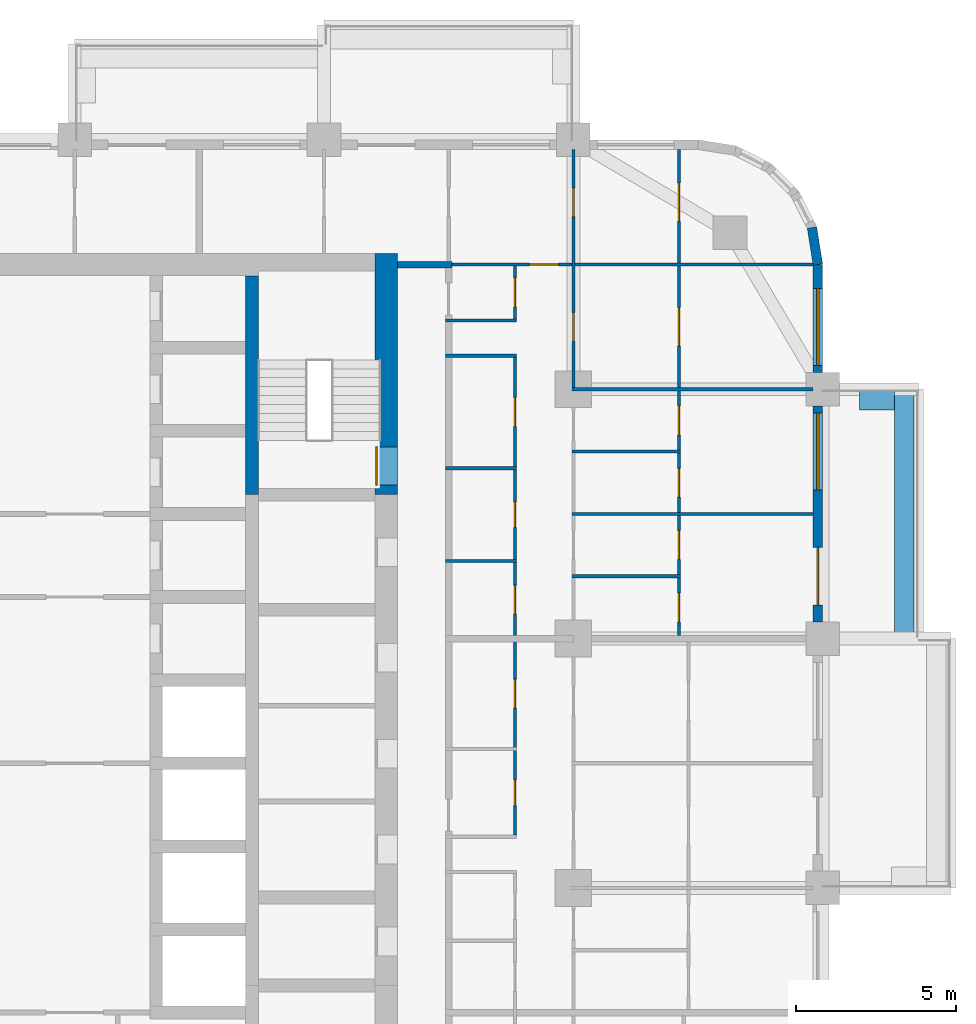
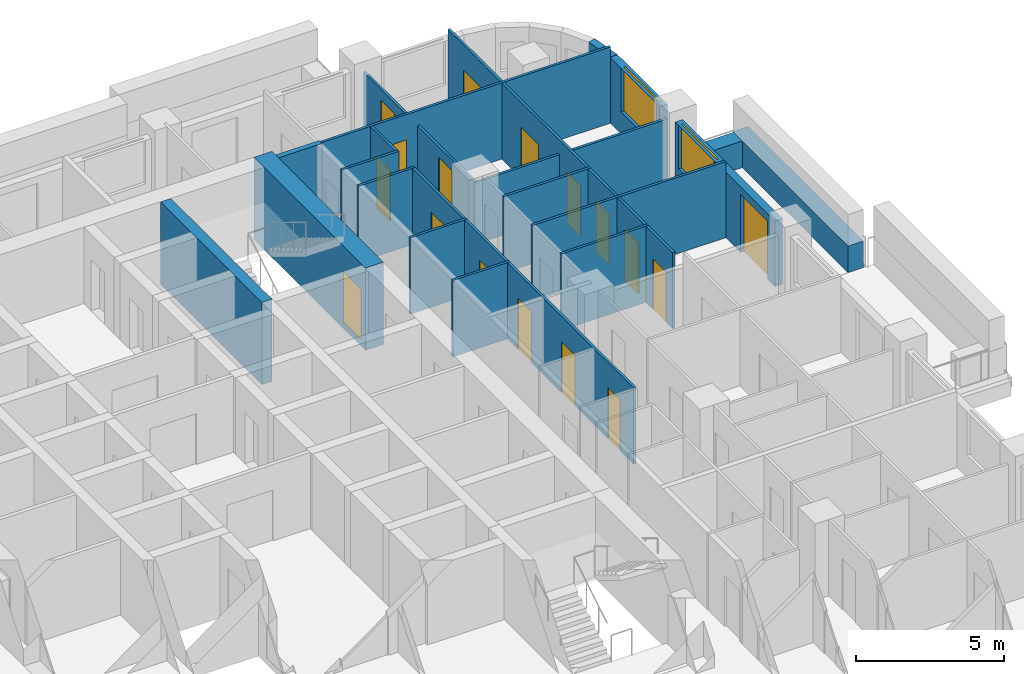
# One storey, part 13 of 18: 21 walls, 17 doors, 2 windows, 19 openings.
"""IFC4 building model written with IfcOpenShell, lengths in metres."""

from ifc_helpers import new_model, si_unit, direction, frame, frame_2d, origin, place, context, subcontext, project, spatial, rectangle, extrude, material, layer, layer_set, type_object, element, fill, save


model = new_model("IFC4")

# Units and contexts
model_context = context("Model", 3, precision=1e-05, world=origin(), true_north=direction((0.0, 1.0)))
body_context = subcontext(model_context, "Body", "Model", "MODEL_VIEW")
ifc_project = project(units=[si_unit("LENGTHUNIT", "METRE"), si_unit("AREAUNIT", "SQUARE_METRE"), si_unit("VOLUMEUNIT", "CUBIC_METRE"), si_unit("PLANEANGLEUNIT", "RADIAN"), si_unit("MASSUNIT", "GRAM", prefix="KILO")], contexts=[model_context])

# Site, building, storey
site_placement = place(None, origin())
site = spatial("IfcSite", under=ifc_project, at=site_placement, CompositionType="ELEMENT")
building_placement = place(site_placement, origin())
building = spatial("IfcBuilding", under=site, at=building_placement, Name="Ludao Terraces", CompositionType="ELEMENT")
storey_placement = place(building_placement, frame((0.0, 0.0, 29.699951171875)))
storey = spatial("IfcBuildingStorey", under=building, at=storey_placement, Name="L07", CompositionType="ELEMENT", Elevation=29.699951171875)

# Wall, opening, door
ifc_material_1 = material(Name="Concrete C70", Category="concrete")
ifc_layer_1 = layer(ifc_material_1, 0.699951171875)
ifc_layer_set_1 = layer_set([ifc_layer_1], Name="Core wall 700 C70")
wall_type_1 = type_object("IfcWallType", Name="Core wall 700 C70", PredefinedType="SOLIDWALL", material=ifc_layer_set_1)
wall_1_placement = place(storey_placement, frame((94.75, 77.300048828125, -0.25), z_axis=(0.0, 0.0, 1.0), x_axis=(0.0, 1.0, 0.0)))
wall_1 = element("IfcWall", 1, at=wall_1_placement, inside=storey, type_object=wall_type_1, Name="Core wall L07 outer-E-S2", PredefinedType="SOLIDWALL", context=body_context, shape_type="SweptSolid", body=[
    extrude(rectangle(XDim=7.550048828125, YDim=0.699951171875, at=frame_2d((3.77490234375, 0.0))), origin(), (0.0, 0.0, 1.0), 3.400146484375),
])
opening_1_placement = place(wall_1_placement, frame((0.300048828125, 0.0, 0.25)))
opening_1 = element("IfcOpeningElement", 2, at=opening_1_placement, cuts=wall_1, Name="Opening R02-134", PredefinedType="OPENING", context=body_context, shape_type="SweptSolid", body=[
    extrude(rectangle(XDim=1.199951171875, YDim=2.10009765625, at=frame_2d((0.60009765625, 1.050048828125))), frame((0.0, 0.35986328125, 0.0), z_axis=(0.0, -1.0, 0.0), x_axis=(1.0, 0.0, 0.0)), (0.0, 0.0, 1.0), 0.719970703125),
])
ifc_material_2 = material(Name="Steel Q235", Category="steel")
door_type_1 = type_object("IfcDoorType", Name="INT Stair door 1200", OperationType="DOUBLE_DOOR_SINGLE_SWING", PredefinedType="DOOR", material=ifc_material_2)
door_1_placement = place(opening_1_placement, origin())
door_1 = element("IfcDoor", 3, at=door_1_placement, inside=storey, type_object=door_type_1, Name="DOOR 134", OperationType="DOUBLE_DOOR_SINGLE_SWING", OverallHeight=2.10009765625, OverallWidth=1.199951171875, PredefinedType="DOOR", context=body_context, shape_type="SweptSolid", body=[
    extrude(rectangle(XDim=1.199951171875, YDim=2.10009765625, at=frame_2d((0.60009765625, 1.050048828125))), frame((0.0, 0.3349609375, 0.0), z_axis=(0.0, -1.0, 0.0), x_axis=(1.0, 0.0, 0.0)), (0.0, 0.0, 1.0), 0.050048828125),
])
fill(opening_1, door_1)

# Walls
ifc_material_3 = material(Name="Concrete C40", Category="concrete")
ifc_layer_2 = layer(ifc_material_3, 0.60009765625)
ifc_layer_set_2 = layer_set([ifc_layer_2], Name="ENV Planter trough 600")
wall_type_2 = type_object("IfcWallType", Name="ENV Planter trough 600", PredefinedType="USERDEFINED", material=ifc_layer_set_2)
wall_2_placement = place(storey_placement, frame((110.949951171875, 72.800048828125, 0.0), z_axis=(0.0, 0.0, 1.0), x_axis=(0.0, 1.0, 0.0)))
element("IfcWall", 4, at=wall_2_placement, inside=storey, type_object=wall_type_2, Name="PL-L07-E4", ObjectType="PLANTER", PredefinedType="USERDEFINED", context=body_context, shape_type="SweptSolid", body=[
    extrude(rectangle(XDim=7.800048828125, YDim=0.60009765625, at=frame_2d((3.89990234375, 0.0))), origin(), (0.0, 0.0, 1.0), 1.10009765625),
])
wall_3_placement = place(storey_placement, frame((110.64990234375, 80.25, 0.0), z_axis=(0.0, 0.0, 1.0), x_axis=(-1.0, 0.0, 0.0)))
element("IfcWall", 5, at=wall_3_placement, inside=storey, type_object=wall_type_2, Name="PL-L07-E4-SB", ObjectType="PLANTER", PredefinedType="USERDEFINED", context=body_context, shape_type="SweptSolid", body=[
    extrude(rectangle(XDim=1.099853515625, YDim=0.60009765625, at=frame_2d((0.5498046875, 0.0))), origin(), (0.0, 0.0, 1.0), 1.10009765625),
])

# Wall, openings, door, window
ifc_material_4 = material(Name="Granite cladding", Category="masonry")
ifc_layer_3 = layer(ifc_material_4, 0.0400390625, Category="stone")
ifc_material_5 = material(Name="Mineral wool")
ifc_layer_4 = layer(ifc_material_5, 0.06005859375)
ifc_layer_5 = layer(ifc_material_3, 0.199951171875, Category="concrete")
ifc_layer_set_3 = layer_set([ifc_layer_3, ifc_layer_4, ifc_layer_5], Name="ENV Stone-clad wall 300")
wall_type_3 = type_object("IfcWallType", Name="ENV Stone-clad wall 300", PredefinedType="SOLIDWALL", material=ifc_layer_set_3)
wall_4_placement = place(storey_placement, frame((108.25, 73.324951171875, 0.0), z_axis=(0.0, 0.0, 1.0), x_axis=(0.0, 1.0, 0.0)))
wall_4 = element("IfcWall", 6, at=wall_4_placement, inside=storey, type_object=wall_type_3, Name="EW-L07-E5", PredefinedType="SOLIDWALL", context=body_context, shape_type="SweptSolid", body=[
    extrude(rectangle(XDim=6.75, YDim=0.300048828125, at=frame_2d((3.375, 0.0))), origin(), (0.0, 0.0, 1.0), 2.699951171875),
])
opening_2_placement = place(wall_4_placement, frame((0.52490234375, 0.0, 0.0)))
opening_2 = element("IfcOpeningElement", 7, at=opening_2_placement, cuts=wall_4, Name="Opening BD", PredefinedType="OPENING", context=body_context, shape_type="SweptSolid", body=[
    extrude(rectangle(XDim=1.800048828125, YDim=2.39990234375, at=frame_2d((0.89990234375, 1.199951171875))), frame((0.0, 0.16015625, 0.0), z_axis=(0.0, -1.0, 0.0), x_axis=(1.0, 0.0, 0.0)), (0.0, 0.0, 1.0), 0.320068359375),
])
opening_3_placement = place(wall_4_placement, frame((4.125, 0.0, 0.89990234375)))
opening_3 = element("IfcOpeningElement", 8, at=opening_3_placement, cuts=wall_4, Name="Opening W1", PredefinedType="OPENING", context=body_context, shape_type="SweptSolid", body=[
    extrude(rectangle(XDim=2.39990234375, YDim=1.800048828125, at=frame_2d((1.199951171875, 0.89990234375))), frame((0.0, 0.16015625, 0.0), z_axis=(0.0, -1.0, 0.0), x_axis=(1.0, 0.0, 0.0)), (0.0, 0.0, 1.0), 0.320068359375),
])
ifc_material_6 = material(Name="Aluminium glazed door", Category="aluminium")
ifc_layer_6 = layer(ifc_material_6, 0.06005859375)
ifc_layer_set_4 = layer_set([ifc_layer_6], Name="ENV Balcony door BD 1800x2400")
door_type_2 = type_object("IfcDoorType", Name="ENV Balcony door BD 1800x2400", OperationType="DOUBLE_DOOR_SINGLE_SWING", PredefinedType="DOOR", material=ifc_layer_set_4)
door_2_placement = place(opening_2_placement, origin())
door_2 = element("IfcDoor", 9, at=door_2_placement, inside=storey, type_object=door_type_2, Name="BD-L07-E5-1", OperationType="DOUBLE_DOOR_SINGLE_SWING", OverallHeight=2.39990234375, OverallWidth=1.800048828125, PredefinedType="DOOR", context=body_context, shape_type="SweptSolid", body=[
    extrude(rectangle(XDim=1.800048828125, YDim=2.39990234375, at=frame_2d((0.89990234375, 1.199951171875))), frame((0.0, 0.02490234375, 0.0), z_axis=(0.0, -1.0, 0.0), x_axis=(1.0, 0.0, 0.0)), (0.0, 0.0, 1.0), 0.050048828125),
])
fill(opening_2, door_2)
ifc_material_7 = material(Name="Clear glass in aluminium frame", Category="aluminium")
ifc_layer_7 = layer(ifc_material_7, 0.06005859375)
ifc_layer_set_5 = layer_set([ifc_layer_7], Name="ENV Window W1 2400x1800")
window_type = type_object("IfcWindowType", Name="ENV Window W1 2400x1800", PartitioningType="DOUBLE_PANEL_VERTICAL", PredefinedType="WINDOW", material=ifc_layer_set_5)
window_1_placement = place(opening_3_placement, origin())
window_1 = element("IfcWindow", 10, at=window_1_placement, inside=storey, type_object=window_type, Name="W-L07-E5-2", OverallHeight=1.800048828125, OverallWidth=2.39990234375, PartitioningType="DOUBLE_PANEL_VERTICAL", PredefinedType="WINDOW", context=body_context, shape_type="SweptSolid", body=[
    extrude(rectangle(XDim=2.39990234375, YDim=1.800048828125, at=frame_2d((1.199951171875, 0.89990234375))), frame((0.0, 0.030029296875, 0.0), z_axis=(0.0, -1.0, 0.0), x_axis=(1.0, 0.0, 0.0)), (0.0, 0.0, 1.0), 0.06005859375),
])
fill(opening_3, window_1)

# Wall, opening, window
wall_5_placement = place(storey_placement, frame((108.25, 81.125, 0.0), z_axis=(0.0, 0.0, 1.0), x_axis=(0.0, 1.0, 0.0)))
wall_5 = element("IfcWall", 11, at=wall_5_placement, inside=storey, type_object=wall_type_3, Name="EW-L07-E6", PredefinedType="SOLIDWALL", context=body_context, shape_type="SweptSolid", body=[
    extrude(rectangle(XDim=3.375, YDim=0.300048828125, at=frame_2d((1.6875, 0.0))), origin(), (0.0, 0.0, 1.0), 2.699951171875),
])
opening_4_placement = place(wall_5_placement, frame((0.22509765625, 0.0, 0.89990234375)))
opening_4 = element("IfcOpeningElement", 12, at=opening_4_placement, cuts=wall_5, Name="Opening W1", PredefinedType="OPENING", context=body_context, shape_type="SweptSolid", body=[
    extrude(rectangle(XDim=2.39990234375, YDim=1.800048828125, at=frame_2d((1.199951171875, 0.89990234375))), frame((0.0, 0.16015625, 0.0), z_axis=(0.0, -1.0, 0.0), x_axis=(1.0, 0.0, 0.0)), (0.0, 0.0, 1.0), 0.320068359375),
])
window_2_placement = place(opening_4_placement, origin())
window_2 = element("IfcWindow", 13, at=window_2_placement, inside=storey, type_object=window_type, Name="W-L07-E6-1", OverallHeight=1.800048828125, OverallWidth=2.39990234375, PartitioningType="DOUBLE_PANEL_VERTICAL", PredefinedType="WINDOW", context=body_context, shape_type="SweptSolid", body=[
    extrude(rectangle(XDim=2.39990234375, YDim=1.800048828125, at=frame_2d((1.199951171875, 0.89990234375))), frame((0.0, 0.030029296875, 0.0), z_axis=(0.0, -1.0, 0.0), x_axis=(1.0, 0.0, 0.0)), (0.0, 0.0, 1.0), 0.06005859375),
])
fill(opening_4, window_2)

# Walls
wall_6_placement = place(storey_placement, frame((108.25, 84.5, 0.0), z_axis=(0.0, 0.0, 1.0), x_axis=(-0.156496880861, 0.987678452879, 0.0)))
element("IfcWall", 14, at=wall_6_placement, inside=storey, type_object=wall_type_3, Name="EW-L07-NE1", PredefinedType="SOLIDWALL", context=body_context, shape_type="SweptSolid", body=[
    extrude(rectangle(XDim=1.173095703125, YDim=0.300048828125, at=frame_2d((0.58642578125, 0.0))), origin(), (0.0, 0.0, 1.0), 2.699951171875),
])
ifc_material_8 = material(Name="Autoclaved aerated concrete block B06 A3.5", Category="concrete")
ifc_layer_8 = layer(ifc_material_8, 0.199951171875)
ifc_layer_set_6 = layer_set([ifc_layer_8], Name="INT Entrance wall 200")
wall_type_4 = type_object("IfcWallType", Name="INT Entrance wall 200", PredefinedType="PARTITIONING", material=ifc_layer_set_6)
wall_7_placement = place(storey_placement, frame((95.10009765625, 84.5, 0.0), z_axis=(0.0, 0.0, 1.0), x_axis=(1.0, 0.0, 0.0)))
element("IfcWall", 15, at=wall_7_placement, inside=storey, type_object=wall_type_4, Name="PW-L07-PW079", PredefinedType="PARTITIONING", context=body_context, shape_type="SweptSolid", body=[
    extrude(rectangle(XDim=1.699951171875, YDim=0.199951171875, at=frame_2d((0.85009765625, 0.0))), origin(), (0.0, 0.0, 1.0), 3.150146484375),
])
ifc_material_9 = material(Name="Gypsum plasterboard", Category="gypsum")
ifc_layer_9 = layer(ifc_material_9, 0.012451171875, Category="gypsum")
ifc_layer_10 = layer(ifc_material_5, 0.06005859375, Name="insulation")
ifc_layer_11 = layer(ifc_material_2, 0.014892578125, Name="stud")
ifc_layer_12 = layer(ifc_material_9, 0.012451171875, Category="gypsum")
ifc_layer_set_7 = layer_set([ifc_layer_9, ifc_layer_10, ifc_layer_11, ifc_layer_12], Name="INT Partition 100")
wall_type_5 = type_object("IfcWallType", Name="INT Partition 100", PredefinedType="PARTITIONING", material=ifc_layer_set_7)
wall_8_placement = place(storey_placement, frame((100.550048828125, 74.75, 0.0), z_axis=(0.0, 0.0, 1.0), x_axis=(1.0, 0.0, 0.0)))
element("IfcWall", 16, at=wall_8_placement, inside=storey, type_object=wall_type_5, Name="PW-L07-PW060", PredefinedType="PARTITIONING", context=body_context, shape_type="SweptSolid", body=[
    extrude(rectangle(XDim=3.400146484375, YDim=0.10009765625, at=frame_2d((1.7001953125, 0.0))), origin(), (0.0, 0.0, 1.0), 3.150146484375),
])
wall_9_placement = place(storey_placement, frame((96.60009765625, 75.22998046875, 0.0), z_axis=(0.0, 0.0, 1.0), x_axis=(1.0, 0.0, 0.0)))
element("IfcWall", 17, at=wall_9_placement, inside=storey, type_object=wall_type_5, Name="PW-L07-PW061", PredefinedType="PARTITIONING", context=body_context, shape_type="SweptSolid", body=[
    extrude(rectangle(XDim=2.219970703125, YDim=0.10009765625, at=frame_2d((1.10986328125, 0.0))), origin(), (0.0, 0.0, 1.0), 3.150146484375),
])
wall_10_placement = place(storey_placement, frame((100.550048828125, 76.699951171875, 0.0), z_axis=(0.0, 0.0, 1.0), x_axis=(1.0, 0.0, 0.0)))
element("IfcWall", 18, at=wall_10_placement, inside=storey, type_object=wall_type_5, Name="PW-L07-PW064", PredefinedType="PARTITIONING", context=body_context, shape_type="SweptSolid", body=[
    extrude(rectangle(XDim=7.550048828125, YDim=0.10009765625, at=frame_2d((3.77490234375, 0.0))), origin(), (0.0, 0.0, 1.0), 3.150146484375),
])
wall_11_placement = place(storey_placement, frame((96.60009765625, 78.1298828125, 0.0), z_axis=(0.0, 0.0, 1.0), x_axis=(1.0, 0.0, 0.0)))
element("IfcWall", 19, at=wall_11_placement, inside=storey, type_object=wall_type_5, Name="PW-L07-PW065", PredefinedType="PARTITIONING", context=body_context, shape_type="SweptSolid", body=[
    extrude(rectangle(XDim=2.219970703125, YDim=0.10009765625, at=frame_2d((1.10986328125, 0.0))), origin(), (0.0, 0.0, 1.0), 3.150146484375),
])
wall_12_placement = place(storey_placement, frame((100.550048828125, 78.64990234375, 0.0), z_axis=(0.0, 0.0, 1.0), x_axis=(1.0, 0.0, 0.0)))
element("IfcWall", 20, at=wall_12_placement, inside=storey, type_object=wall_type_5, Name="PW-L07-PW068", PredefinedType="PARTITIONING", context=body_context, shape_type="SweptSolid", body=[
    extrude(rectangle(XDim=3.400146484375, YDim=0.10009765625, at=frame_2d((1.7001953125, 0.0))), origin(), (0.0, 0.0, 1.0), 3.150146484375),
])
wall_13_placement = place(storey_placement, frame((100.550048828125, 80.60009765625, 0.0), z_axis=(0.0, 0.0, 1.0), x_axis=(1.0, 0.0, 0.0)))
element("IfcWall", 21, at=wall_13_placement, inside=storey, type_object=wall_type_5, Name="PW-L07-PW071", PredefinedType="PARTITIONING", context=body_context, shape_type="SweptSolid", body=[
    extrude(rectangle(XDim=7.550048828125, YDim=0.10009765625, at=frame_2d((3.77490234375, 0.0))), origin(), (0.0, 0.0, 1.0), 2.550048828125),
])
for number, where, z_axis, x_axis, name in (
    (22, (96.60009765625, 81.64990234375, 0.0), (0.0, 0.0, 1.0), (1.0, 0.0, 0.0), "PW-L07-PW073"),
    (23, (96.60009765625, 82.75, 0.0), (0.0, 0.0, 1.0), (1.0, 0.0, 0.0), "PW-L07-PW076"),
):
    element("IfcWall", number, at=place(storey_placement, frame(where, z_axis=z_axis, x_axis=x_axis)), inside=storey, type_object=wall_type_5, Name=name, PredefinedType="PARTITIONING", context=body_context, shape_type="SweptSolid", body=[
        extrude(rectangle(XDim=2.219970703125, YDim=0.10009765625, at=frame_2d((1.10986328125, 0.0))), origin(), (0.0, 0.0, 1.0), 3.150146484375),
    ])

# Wall, opening, door
wall_14_placement = place(storey_placement, frame((96.60009765625, 84.5, 0.0), z_axis=(0.0, 0.0, 1.0), x_axis=(1.0, 0.0, 0.0)))
wall_14 = element("IfcWall", 24, at=wall_14_placement, inside=storey, type_object=wall_type_5, Name="PW-L07-PW080", PredefinedType="PARTITIONING", context=body_context, shape_type="SweptSolid", body=[
    extrude(rectangle(XDim=11.5, YDim=0.10009765625, at=frame_2d((5.75, 0.0))), origin(), (0.0, 0.0, 1.0), 3.150146484375),
])
opening_5_placement = place(wall_14_placement, frame((2.635009765625, 0.0, 0.0)))
opening_5 = element("IfcOpeningElement", 25, at=opening_5_placement, cuts=wall_14, Name="Opening R02-156", PredefinedType="OPENING", context=body_context, shape_type="SweptSolid", body=[
    extrude(rectangle(XDim=0.89990234375, YDim=2.10009765625, at=frame_2d((0.449951171875, 1.050048828125))), frame((0.0, 0.06005859375, 0.0), z_axis=(0.0, -1.0, 0.0), x_axis=(1.0, 0.0, 0.0)), (0.0, 0.0, 1.0), 0.1201171875),
])
ifc_material_10 = material(Name="Timber door leaf", Category="wood")
door_type_3 = type_object("IfcDoorType", Name="INT Room door 900", OperationType="SINGLE_SWING_LEFT", PredefinedType="DOOR", material=ifc_material_10)
door_3_placement = place(opening_5_placement, origin())
door_3 = element("IfcDoor", 26, at=door_3_placement, inside=storey, type_object=door_type_3, Name="DOOR 156", OperationType="SINGLE_SWING_LEFT", OverallHeight=2.10009765625, OverallWidth=0.89990234375, PredefinedType="DOOR", context=body_context, shape_type="SweptSolid", body=[
    extrude(rectangle(XDim=0.89990234375, YDim=2.10009765625, at=frame_2d((0.449951171875, 1.050048828125))), frame((0.0, 0.02490234375, 0.0), z_axis=(0.0, -1.0, 0.0), x_axis=(1.0, 0.0, 0.0)), (0.0, 0.0, 1.0), 0.050048828125),
])
fill(opening_5, door_3)

# Wall, openings, doors
wall_15_placement = place(storey_placement, frame((98.77001953125, 66.650146484375, 0.0), z_axis=(0.0, 0.0, 1.0), x_axis=(0.0, 1.0, 0.0)))
wall_15 = element("IfcWall", 27, at=wall_15_placement, inside=storey, type_object=wall_type_5, Name="PW-L07-PW120", PredefinedType="PARTITIONING", context=body_context, shape_type="SweptSolid", body=[
    extrude(rectangle(XDim=14.949951171875, YDim=0.10009765625, at=frame_2d((7.47509765625, 0.0))), origin(), (0.0, 0.0, 1.0), 3.150146484375),
])
opening_6_placement = place(wall_15_placement, frame((0.925048828125, 0.0, 0.0)))
opening_6 = element("IfcOpeningElement", 28, at=opening_6_placement, cuts=wall_15, Name="Opening R02-095", PredefinedType="OPENING", context=body_context, shape_type="SweptSolid", body=[
    extrude(rectangle(XDim=0.800048828125, YDim=2.10009765625, at=frame_2d((0.39990234375, 1.050048828125))), frame((0.0, 0.06005859375, 0.0), z_axis=(0.0, -1.0, 0.0), x_axis=(1.0, 0.0, 0.0)), (0.0, 0.0, 1.0), 0.1201171875),
])
opening_7_placement = place(wall_15_placement, frame((3.97509765625, 0.0, 0.0)))
opening_7 = element("IfcOpeningElement", 29, at=opening_7_placement, cuts=wall_15, Name="Opening R02-104", PredefinedType="OPENING", context=body_context, shape_type="SweptSolid", body=[
    extrude(rectangle(XDim=0.89990234375, YDim=2.10009765625, at=frame_2d((0.449951171875, 1.050048828125))), frame((0.0, 0.06005859375, 0.0), z_axis=(0.0, -1.0, 0.0), x_axis=(1.0, 0.0, 0.0)), (0.0, 0.0, 1.0), 0.1201171875),
])
opening_8_placement = place(wall_15_placement, frame((6.9150390625, 0.0, 0.0)))
opening_8 = element("IfcOpeningElement", 30, at=opening_8_placement, cuts=wall_15, Name="Opening R02-115", PredefinedType="OPENING", context=body_context, shape_type="SweptSolid", body=[
    extrude(rectangle(XDim=0.89990234375, YDim=2.10009765625, at=frame_2d((0.449951171875, 1.050048828125))), frame((0.0, 0.06005859375, 0.0), z_axis=(0.0, -1.0, 0.0), x_axis=(1.0, 0.0, 0.0)), (0.0, 0.0, 1.0), 0.1201171875),
])
opening_9_placement = place(wall_15_placement, frame((9.6298828125, 0.0, 0.0)))
opening_9 = element("IfcOpeningElement", 31, at=opening_9_placement, cuts=wall_15, Name="Opening R02-126", PredefinedType="OPENING", context=body_context, shape_type="SweptSolid", body=[
    extrude(rectangle(XDim=0.800048828125, YDim=2.10009765625, at=frame_2d((0.39990234375, 1.050048828125))), frame((0.0, 0.06005859375, 0.0), z_axis=(0.0, -1.0, 0.0), x_axis=(1.0, 0.0, 0.0)), (0.0, 0.0, 1.0), 0.1201171875),
])
opening_10_placement = place(wall_15_placement, frame((12.7900390625, 0.0, 0.0)))
opening_10 = element("IfcOpeningElement", 32, at=opening_10_placement, cuts=wall_15, Name="Opening R02-139", PredefinedType="OPENING", context=body_context, shape_type="SweptSolid", body=[
    extrude(rectangle(XDim=0.89990234375, YDim=2.10009765625, at=frame_2d((0.449951171875, 1.050048828125))), frame((0.0, 0.06005859375, 0.0), z_axis=(0.0, -1.0, 0.0), x_axis=(1.0, 0.0, 0.0)), (0.0, 0.0, 1.0), 0.1201171875),
])
door_type_4 = type_object("IfcDoorType", Name="INT Bathroom door 900", OperationType="SINGLE_SWING_LEFT", PredefinedType="DOOR", material=ifc_material_10)
door_4_placement = place(opening_8_placement, origin())
door_4 = element("IfcDoor", 33, at=door_4_placement, inside=storey, type_object=door_type_4, Name="DOOR 115", OperationType="SINGLE_SWING_LEFT", OverallHeight=2.10009765625, OverallWidth=0.89990234375, PredefinedType="DOOR", context=body_context, shape_type="SweptSolid", body=[
    extrude(rectangle(XDim=0.89990234375, YDim=2.10009765625, at=frame_2d((0.449951171875, 1.050048828125))), frame((0.0, 0.02490234375, 0.0), z_axis=(0.0, -1.0, 0.0), x_axis=(1.0, 0.0, 0.0)), (0.0, 0.0, 1.0), 0.050048828125),
])
fill(opening_8, door_4)
door_5_placement = place(opening_7_placement, origin())
door_5 = element("IfcDoor", 34, at=door_5_placement, inside=storey, type_object=door_type_3, Name="DOOR 104", OperationType="SINGLE_SWING_LEFT", OverallHeight=2.10009765625, OverallWidth=0.89990234375, PredefinedType="DOOR", context=body_context, shape_type="SweptSolid", body=[
    extrude(rectangle(XDim=0.89990234375, YDim=2.10009765625, at=frame_2d((0.449951171875, 1.050048828125))), frame((0.0, 0.02490234375, 0.0), z_axis=(0.0, -1.0, 0.0), x_axis=(1.0, 0.0, 0.0)), (0.0, 0.0, 1.0), 0.050048828125),
])
fill(opening_7, door_5)
door_6_placement = place(opening_10_placement, origin())
door_6 = element("IfcDoor", 35, at=door_6_placement, inside=storey, type_object=door_type_3, Name="DOOR 139", OperationType="SINGLE_SWING_LEFT", OverallHeight=2.10009765625, OverallWidth=0.89990234375, PredefinedType="DOOR", context=body_context, shape_type="SweptSolid", body=[
    extrude(rectangle(XDim=0.89990234375, YDim=2.10009765625, at=frame_2d((0.449951171875, 1.050048828125))), frame((0.0, 0.02490234375, 0.0), z_axis=(0.0, -1.0, 0.0), x_axis=(1.0, 0.0, 0.0)), (0.0, 0.0, 1.0), 0.050048828125),
])
fill(opening_10, door_6)
door_type_5 = type_object("IfcDoorType", Name="INT Store door 800", OperationType="SINGLE_SWING_LEFT", PredefinedType="DOOR", material=ifc_material_10)
door_7_placement = place(opening_6_placement, origin())
door_7 = element("IfcDoor", 36, at=door_7_placement, inside=storey, type_object=door_type_5, Name="DOOR 095", OperationType="SINGLE_SWING_RIGHT", OverallHeight=2.10009765625, OverallWidth=0.800048828125, PredefinedType="DOOR", context=body_context, shape_type="SweptSolid", body=[
    extrude(rectangle(XDim=0.800048828125, YDim=2.10009765625, at=frame_2d((0.39990234375, 1.050048828125))), frame((0.0, 0.02490234375, 0.0), z_axis=(0.0, -1.0, 0.0), x_axis=(1.0, 0.0, 0.0)), (0.0, 0.0, 1.0), 0.050048828125),
])
fill(opening_6, door_7)
door_8_placement = place(opening_9_placement, origin())
door_8 = element("IfcDoor", 37, at=door_8_placement, inside=storey, type_object=door_type_5, Name="DOOR 126", OperationType="SINGLE_SWING_LEFT", OverallHeight=2.10009765625, OverallWidth=0.800048828125, PredefinedType="DOOR", context=body_context, shape_type="SweptSolid", body=[
    extrude(rectangle(XDim=0.800048828125, YDim=2.10009765625, at=frame_2d((0.39990234375, 1.050048828125))), frame((0.0, 0.02490234375, 0.0), z_axis=(0.0, -1.0, 0.0), x_axis=(1.0, 0.0, 0.0)), (0.0, 0.0, 1.0), 0.050048828125),
])
fill(opening_9, door_8)

# Wall, opening, door
wall_16_placement = place(storey_placement, frame((98.77001953125, 82.800048828125, 0.0), z_axis=(0.0, 0.0, 1.0), x_axis=(0.0, 1.0, 0.0)))
wall_16 = element("IfcWall", 38, at=wall_16_placement, inside=storey, type_object=wall_type_5, Name="PW-L07-PW121", PredefinedType="PARTITIONING", context=body_context, shape_type="SweptSolid", body=[
    extrude(rectangle(XDim=1.650146484375, YDim=0.10009765625, at=frame_2d((0.8251953125, 0.0))), origin(), (0.0, 0.0, 1.0), 3.150146484375),
])
opening_11_placement = place(wall_16_placement, frame((0.375, 0.0, 0.0)))
opening_11 = element("IfcOpeningElement", 39, at=opening_11_placement, cuts=wall_16, Name="Opening R02-154", PredefinedType="OPENING", context=body_context, shape_type="SweptSolid", body=[
    extrude(rectangle(XDim=0.89990234375, YDim=2.10009765625, at=frame_2d((0.449951171875, 1.050048828125))), frame((0.0, 0.06005859375, 0.0), z_axis=(0.0, -1.0, 0.0), x_axis=(1.0, 0.0, 0.0)), (0.0, 0.0, 1.0), 0.1201171875),
])
door_9_placement = place(opening_11_placement, origin())
door_9 = element("IfcDoor", 40, at=door_9_placement, inside=storey, type_object=door_type_4, Name="DOOR 154", OperationType="SINGLE_SWING_LEFT", OverallHeight=2.10009765625, OverallWidth=0.89990234375, PredefinedType="DOOR", context=body_context, shape_type="SweptSolid", body=[
    extrude(rectangle(XDim=0.89990234375, YDim=2.10009765625, at=frame_2d((0.449951171875, 1.050048828125))), frame((0.0, 0.02490234375, 0.0), z_axis=(0.0, -1.0, 0.0), x_axis=(1.0, 0.0, 0.0)), (0.0, 0.0, 1.0), 0.050048828125),
])
fill(opening_11, door_9)

# Wall, openings, doors
wall_17_placement = place(storey_placement, frame((100.60009765625, 80.60009765625, 0.0), z_axis=(0.0, 0.0, 1.0), x_axis=(0.0, 1.0, 0.0)))
wall_17 = element("IfcWall", 41, at=wall_17_placement, inside=storey, type_object=wall_type_5, Name="PW-L07-PW122-3", PredefinedType="PARTITIONING", context=body_context, shape_type="SweptSolid", body=[
    extrude(rectangle(XDim=7.5, YDim=0.10009765625, at=frame_2d((3.75, 0.0))), origin(), (0.0, 0.0, 1.0), 2.550048828125),
])
opening_12_placement = place(wall_17_placement, frame((1.5, 0.0, 0.0)))
opening_12 = element("IfcOpeningElement", 42, at=opening_12_placement, cuts=wall_17, Name="Opening R02-146", PredefinedType="OPENING", context=body_context, shape_type="SweptSolid", body=[
    extrude(rectangle(XDim=0.89990234375, YDim=2.10009765625, at=frame_2d((0.449951171875, 1.050048828125))), frame((0.0, 0.06005859375, 0.0), z_axis=(0.0, -1.0, 0.0), x_axis=(1.0, 0.0, 0.0)), (0.0, 0.0, 1.0), 0.1201171875),
])
opening_13_placement = place(wall_17_placement, frame((5.39990234375, 0.0, 0.0)))
opening_13 = element("IfcOpeningElement", 43, at=opening_13_placement, cuts=wall_17, Name="Opening R02-165", PredefinedType="OPENING", context=body_context, shape_type="SweptSolid", body=[
    extrude(rectangle(XDim=0.89990234375, YDim=2.10009765625, at=frame_2d((0.449951171875, 1.050048828125))), frame((0.0, 0.06005859375, 0.0), z_axis=(0.0, -1.0, 0.0), x_axis=(1.0, 0.0, 0.0)), (0.0, 0.0, 1.0), 0.1201171875),
])
door_10_placement = place(opening_12_placement, origin())
door_10 = element("IfcDoor", 44, at=door_10_placement, inside=storey, type_object=door_type_3, Name="DOOR 146", OperationType="SINGLE_SWING_LEFT", OverallHeight=2.10009765625, OverallWidth=0.89990234375, PredefinedType="DOOR", context=body_context, shape_type="SweptSolid", body=[
    extrude(rectangle(XDim=0.89990234375, YDim=2.10009765625, at=frame_2d((0.449951171875, 1.050048828125))), frame((0.0, 0.02490234375, 0.0), z_axis=(0.0, -1.0, 0.0), x_axis=(1.0, 0.0, 0.0)), (0.0, 0.0, 1.0), 0.050048828125),
])
fill(opening_12, door_10)
door_11_placement = place(opening_13_placement, origin())
door_11 = element("IfcDoor", 45, at=door_11_placement, inside=storey, type_object=door_type_3, Name="DOOR 165", OperationType="SINGLE_SWING_LEFT", OverallHeight=2.10009765625, OverallWidth=0.89990234375, PredefinedType="DOOR", context=body_context, shape_type="SweptSolid", body=[
    extrude(rectangle(XDim=0.89990234375, YDim=2.10009765625, at=frame_2d((0.449951171875, 1.050048828125))), frame((0.0, 0.02490234375, 0.0), z_axis=(0.0, -1.0, 0.0), x_axis=(1.0, 0.0, 0.0)), (0.0, 0.0, 1.0), 0.050048828125),
])
fill(opening_13, door_11)

wall_18_placement = place(storey_placement, frame((103.89990234375, 72.900146484375, 0.0), z_axis=(0.0, 0.0, 1.0), x_axis=(0.0, 1.0, 0.0)))
wall_18 = element("IfcWall", 46, at=wall_18_placement, inside=storey, type_object=wall_type_5, Name="PW-L07-PW123", PredefinedType="PARTITIONING", context=body_context, shape_type="SweptSolid", body=[
    extrude(rectangle(XDim=15.199951171875, YDim=0.10009765625, at=frame_2d((7.60009765625, 0.0))), origin(), (0.0, 0.0, 1.0), 3.150146484375),
])
opening_14_placement = place(wall_18_placement, frame((0.425048828125, 0.0, 0.0)))
opening_14 = element("IfcOpeningElement", 47, at=opening_14_placement, cuts=wall_18, Name="Opening R02-114", PredefinedType="OPENING", context=body_context, shape_type="SweptSolid", body=[
    extrude(rectangle(XDim=0.89990234375, YDim=2.10009765625, at=frame_2d((0.449951171875, 1.050048828125))), frame((0.0, 0.06005859375, 0.0), z_axis=(0.0, -1.0, 0.0), x_axis=(1.0, 0.0, 0.0)), (0.0, 0.0, 1.0), 0.1201171875),
])
opening_15_placement = place(wall_18_placement, frame((2.375, 0.0, 0.0)))
opening_15 = element("IfcOpeningElement", 48, at=opening_15_placement, cuts=wall_18, Name="Opening R02-125", PredefinedType="OPENING", context=body_context, shape_type="SweptSolid", body=[
    extrude(rectangle(XDim=0.89990234375, YDim=2.10009765625, at=frame_2d((0.449951171875, 1.050048828125))), frame((0.0, 0.06005859375, 0.0), z_axis=(0.0, -1.0, 0.0), x_axis=(1.0, 0.0, 0.0)), (0.0, 0.0, 1.0), 0.1201171875),
])
opening_16_placement = place(wall_18_placement, frame((4.324951171875, 0.0, 0.0)))
opening_16 = element("IfcOpeningElement", 49, at=opening_16_placement, cuts=wall_18, Name="Opening R02-130", PredefinedType="OPENING", context=body_context, shape_type="SweptSolid", body=[
    extrude(rectangle(XDim=0.89990234375, YDim=2.10009765625, at=frame_2d((0.449951171875, 1.050048828125))), frame((0.0, 0.06005859375, 0.0), z_axis=(0.0, -1.0, 0.0), x_axis=(1.0, 0.0, 0.0)), (0.0, 0.0, 1.0), 0.1201171875),
])
opening_17_placement = place(wall_18_placement, frame((6.27490234375, 0.0, 0.0)))
opening_17 = element("IfcOpeningElement", 50, at=opening_17_placement, cuts=wall_18, Name="Opening R02-138", PredefinedType="OPENING", context=body_context, shape_type="SweptSolid", body=[
    extrude(rectangle(XDim=0.89990234375, YDim=2.10009765625, at=frame_2d((0.449951171875, 1.050048828125))), frame((0.0, 0.06005859375, 0.0), z_axis=(0.0, -1.0, 0.0), x_axis=(1.0, 0.0, 0.0)), (0.0, 0.0, 1.0), 0.1201171875),
])
opening_18_placement = place(wall_18_placement, frame((9.050048828125, 0.0, 0.0)))
opening_18 = element("IfcOpeningElement", 51, at=opening_18_placement, cuts=wall_18, Name="Opening R02-147", PredefinedType="OPENING", context=body_context, shape_type="SweptSolid", body=[
    extrude(rectangle(XDim=1.199951171875, YDim=2.10009765625, at=frame_2d((0.60009765625, 1.050048828125))), frame((0.0, 0.06005859375, 0.0), z_axis=(0.0, -1.0, 0.0), x_axis=(1.0, 0.0, 0.0)), (0.0, 0.0, 1.0), 0.1201171875),
])
opening_19_placement = place(wall_18_placement, frame((12.949951171875, 0.0, 0.0)))
opening_19 = element("IfcOpeningElement", 52, at=opening_19_placement, cuts=wall_18, Name="Opening R02-166", PredefinedType="OPENING", context=body_context, shape_type="SweptSolid", body=[
    extrude(rectangle(XDim=1.199951171875, YDim=2.10009765625, at=frame_2d((0.60009765625, 1.050048828125))), frame((0.0, 0.06005859375, 0.0), z_axis=(0.0, -1.0, 0.0), x_axis=(1.0, 0.0, 0.0)), (0.0, 0.0, 1.0), 0.1201171875),
])
door_12_placement = place(opening_14_placement, origin())
door_12 = element("IfcDoor", 53, at=door_12_placement, inside=storey, type_object=door_type_4, Name="DOOR 114", OperationType="SINGLE_SWING_LEFT", OverallHeight=2.10009765625, OverallWidth=0.89990234375, PredefinedType="DOOR", context=body_context, shape_type="SweptSolid", body=[
    extrude(rectangle(XDim=0.89990234375, YDim=2.10009765625, at=frame_2d((0.449951171875, 1.050048828125))), frame((0.0, 0.02490234375, 0.0), z_axis=(0.0, -1.0, 0.0), x_axis=(1.0, 0.0, 0.0)), (0.0, 0.0, 1.0), 0.050048828125),
])
fill(opening_14, door_12)
door_13_placement = place(opening_16_placement, origin())
door_13 = element("IfcDoor", 54, at=door_13_placement, inside=storey, type_object=door_type_4, Name="DOOR 130", OperationType="SINGLE_SWING_LEFT", OverallHeight=2.10009765625, OverallWidth=0.89990234375, PredefinedType="DOOR", context=body_context, shape_type="SweptSolid", body=[
    extrude(rectangle(XDim=0.89990234375, YDim=2.10009765625, at=frame_2d((0.449951171875, 1.050048828125))), frame((0.0, 0.02490234375, 0.0), z_axis=(0.0, -1.0, 0.0), x_axis=(1.0, 0.0, 0.0)), (0.0, 0.0, 1.0), 0.050048828125),
])
fill(opening_16, door_13)
door_type_6 = type_object("IfcDoorType", Name="INT Double door 1200", OperationType="DOUBLE_DOOR_SINGLE_SWING", PredefinedType="DOOR", material=ifc_material_10)
door_14_placement = place(opening_18_placement, origin())
door_14 = element("IfcDoor", 55, at=door_14_placement, inside=storey, type_object=door_type_6, Name="DOOR 147", OperationType="DOUBLE_DOOR_SINGLE_SWING", OverallHeight=2.10009765625, OverallWidth=1.199951171875, PredefinedType="DOOR", context=body_context, shape_type="SweptSolid", body=[
    extrude(rectangle(XDim=1.199951171875, YDim=2.10009765625, at=frame_2d((0.60009765625, 1.050048828125))), frame((0.0, 0.02490234375, 0.0), z_axis=(0.0, -1.0, 0.0), x_axis=(1.0, 0.0, 0.0)), (0.0, 0.0, 1.0), 0.050048828125),
])
fill(opening_18, door_14)
door_15_placement = place(opening_19_placement, origin())
door_15 = element("IfcDoor", 56, at=door_15_placement, inside=storey, type_object=door_type_6, Name="DOOR 166", OperationType="DOUBLE_DOOR_SINGLE_SWING", OverallHeight=2.10009765625, OverallWidth=1.199951171875, PredefinedType="DOOR", context=body_context, shape_type="SweptSolid", body=[
    extrude(rectangle(XDim=1.199951171875, YDim=2.10009765625, at=frame_2d((0.60009765625, 1.050048828125))), frame((0.0, 0.02490234375, 0.0), z_axis=(0.0, -1.0, 0.0), x_axis=(1.0, 0.0, 0.0)), (0.0, 0.0, 1.0), 0.050048828125),
])
fill(opening_19, door_15)
door_16_placement = place(opening_15_placement, origin())
door_16 = element("IfcDoor", 57, at=door_16_placement, inside=storey, type_object=door_type_3, Name="DOOR 125", OperationType="SINGLE_SWING_LEFT", OverallHeight=2.10009765625, OverallWidth=0.89990234375, PredefinedType="DOOR", context=body_context, shape_type="SweptSolid", body=[
    extrude(rectangle(XDim=0.89990234375, YDim=2.10009765625, at=frame_2d((0.449951171875, 1.050048828125))), frame((0.0, 0.02490234375, 0.0), z_axis=(0.0, -1.0, 0.0), x_axis=(1.0, 0.0, 0.0)), (0.0, 0.0, 1.0), 0.050048828125),
])
fill(opening_15, door_16)
door_17_placement = place(opening_17_placement, origin())
door_17 = element("IfcDoor", 58, at=door_17_placement, inside=storey, type_object=door_type_3, Name="DOOR 138", OperationType="SINGLE_SWING_LEFT", OverallHeight=2.10009765625, OverallWidth=0.89990234375, PredefinedType="DOOR", context=body_context, shape_type="SweptSolid", body=[
    extrude(rectangle(XDim=0.89990234375, YDim=2.10009765625, at=frame_2d((0.449951171875, 1.050048828125))), frame((0.0, 0.02490234375, 0.0), z_axis=(0.0, -1.0, 0.0), x_axis=(1.0, 0.0, 0.0)), (0.0, 0.0, 1.0), 0.050048828125),
])
fill(opening_17, door_17)

# Wall
ifc_material_11 = material(Name="Concrete C60", Category="concrete")
ifc_layer_13 = layer(ifc_material_11, 0.39990234375)
ifc_layer_set_8 = layer_set([ifc_layer_13], Name="Shaft wall 400 C60")
wall_type_6 = type_object("IfcWallType", Name="Shaft wall 400 C60", PredefinedType="SOLIDWALL", material=ifc_layer_set_8)
wall_19_placement = place(storey_placement, frame((90.550048828125, 77.300048828125, -0.25), z_axis=(0.0, 0.0, 1.0), x_axis=(0.0, 1.0, 0.0)))
element("IfcWall", 59, at=wall_19_placement, inside=storey, type_object=wall_type_6, Name="Core wall L07 back-E-S2", PredefinedType="SOLIDWALL", context=body_context, shape_type="SweptSolid", body=[
    extrude(rectangle(XDim=6.849853515625, YDim=0.39990234375, at=frame_2d((3.4248046875, 0.0))), origin(), (0.0, 0.0, 1.0), 3.400146484375),
])

save(model, "model.ifc")
